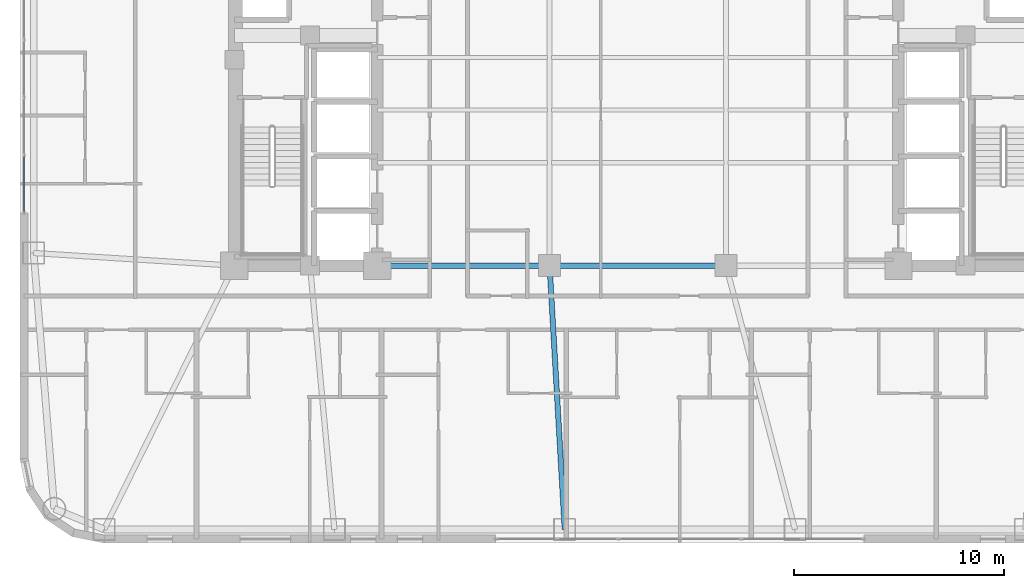
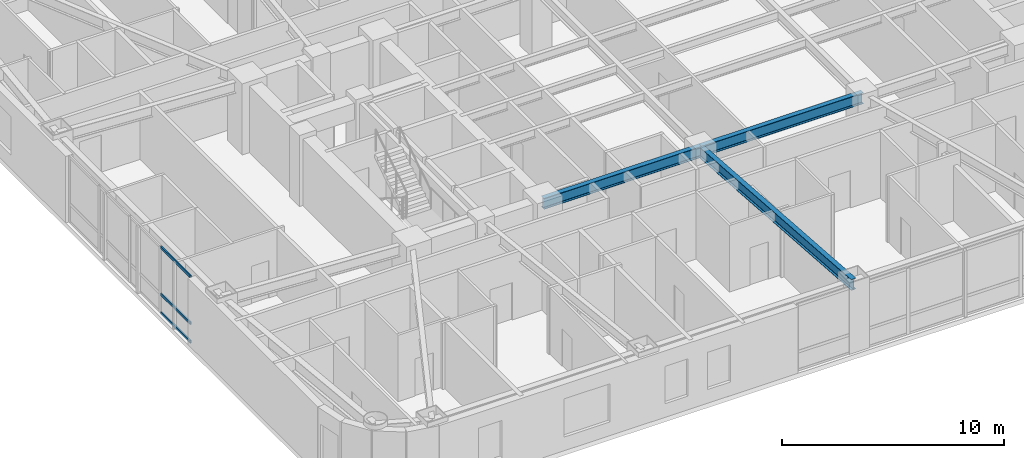
# One storey, part 5 of 28: 3 beams, 3 members, 1 element without a shape of its own.
"""IFC4 building model written with IfcOpenShell, lengths in metres."""

from ifc_helpers import new_model, si_unit, direction, frame, origin, origin_2d, place, context, subcontext, project, spatial, hollow_rectangle, i_section, extrude, material, layer, layer_set, material_profile, profile_set, type_object, element, aggregate, save


model = new_model("IFC4")

# Units and contexts
model_context = context("Model", 3, precision=1e-05, world=origin(), true_north=direction((0.0, 1.0)))
body_context = subcontext(model_context, "Body", "Model", "MODEL_VIEW")
ifc_project = project(units=[si_unit("LENGTHUNIT", "METRE"), si_unit("AREAUNIT", "SQUARE_METRE"), si_unit("VOLUMEUNIT", "CUBIC_METRE"), si_unit("PLANEANGLEUNIT", "RADIAN"), si_unit("MASSUNIT", "GRAM", prefix="KILO")], contexts=[model_context])

# Site, building, storey
site_placement = place(None, origin())
site = spatial("IfcSite", under=ifc_project, at=site_placement, CompositionType="ELEMENT")
building_placement = place(site_placement, origin())
building = spatial("IfcBuilding", under=site, at=building_placement, Name="Voryun Gate Residences", CompositionType="ELEMENT")
storey_placement = place(building_placement, frame((0.0, 0.0, 117.0)))
storey = spatial("IfcBuildingStorey", under=building, at=storey_placement, Name="L28", CompositionType="ELEMENT", Elevation=117.0)

# Beams
ifc_material_1 = material(Name="Steel SM355", Category="steel")
ifc_material_profile_1 = material_profile(ifc_material_1, i_section(OverallWidth=0.25, OverallDepth=0.60009765625, WebThickness=0.011962890625, FlangeThickness=0.02197265625, FilletRadius=0.01806640625, at=origin_2d()), Name="H-600x250x12x22")
ifc_profile_set_1 = profile_set([ifc_material_profile_1], Name="Steel SM355")
beam_type = type_object("IfcBeamType", Name="BM_GIRD_600", PredefinedType="USERDEFINED", material=ifc_profile_set_1)
beam_1_placement = place(storey_placement, frame((-12.39990234375, -7.39990234375, 3.35009765625), z_axis=(1.0, 0.0, 0.0), x_axis=(0.0, 1.0, 0.0)))
element("IfcBeam", 1, at=beam_1_placement, inside=storey, type_object=beam_type, Name="BM-L28-SPG1-S", ObjectType="GIRDER", PredefinedType="USERDEFINED", context=body_context, shape_type="SweptSolid", body=[
    extrude(i_section(OverallWidth=0.25, OverallDepth=0.60009765625, WebThickness=0.011962890625, FlangeThickness=0.02197265625, FilletRadius=0.01806640625, at=origin_2d()), origin(), (0.0, 0.0, 1.0), 8.199951171875),
])
beam_2_placement = place(storey_placement, frame((-4.199951171875, -7.39990234375, 3.35009765625), z_axis=(1.0, 0.0, 0.0), x_axis=(0.0, 1.0, 0.0)))
element("IfcBeam", 2, at=beam_2_placement, inside=storey, type_object=beam_type, Name="BM-L28-SPG2-S", ObjectType="GIRDER", PredefinedType="USERDEFINED", context=body_context, shape_type="SweptSolid", body=[
    extrude(i_section(OverallWidth=0.25, OverallDepth=0.60009765625, WebThickness=0.011962890625, FlangeThickness=0.02197265625, FilletRadius=0.01806640625, at=origin_2d()), origin(), (0.0, 0.0, 1.0), 8.39990234375),
])
beam_3_placement = place(storey_placement, frame((-4.199951171875, -7.39990234375, 3.35009765625), z_axis=(0.057273791334, -0.998358509167, 0.0), x_axis=(0.998358509167, 0.057273791334, 0.0)))
element("IfcBeam", 3, at=beam_3_placement, inside=storey, type_object=beam_type, Name="BM-L28-RAD-S3", ObjectType="GIRDER", PredefinedType="USERDEFINED", context=body_context, shape_type="SweptSolid", body=[
    extrude(i_section(OverallWidth=0.25, OverallDepth=0.60009765625, WebThickness=0.011962890625, FlangeThickness=0.02197265625, FilletRadius=0.01806640625, at=origin_2d()), origin(), (0.0, 0.0, 1.0), 12.57080078125),
])

# Curtain wall, members
ifc_material_2 = material(Name="Anodised aluminium", Category="aluminium")
ifc_layer = layer(ifc_material_2, 0.179931640625, Name="CW_SYS_RES_A_DARK_GLASS")
ifc_layer_set = layer_set([ifc_layer], Name="Anodised aluminium")
curtain_wall_type = type_object("IfcCurtainWallType", Name="CW_SYS_RES_A_DARK_GLASS", PredefinedType="NOTDEFINED", material=ifc_layer_set)
curtain_wall_placement = place(storey_placement, origin())
curtain_wall = element("IfcCurtainWall", 4, at=curtain_wall_placement, inside=storey, type_object=curtain_wall_type, Name="Curtain wall CWT-L28-06", PredefinedType="NOTDEFINED")
ifc_material_3 = material(Name="Anodised aluminium", Category="aluminium")
ifc_material_profile_2 = material_profile(ifc_material_3, hollow_rectangle(XDim=0.070068359375, YDim=0.14990234375, WallThickness=0.00390625, at=origin_2d()), Name="ALU-TRAN-150x70x4")
ifc_profile_set_2 = profile_set([ifc_material_profile_2], Name="Anodised aluminium")
member_type = type_object("IfcMemberType", Name="CW_TRAN_RES", PredefinedType="USERDEFINED", material=ifc_profile_set_2)
member_1_placement = place(storey_placement, frame((-29.2099609375, -4.837890625, 0.030029296875), z_axis=(0.0, 1.0, 0.0), x_axis=(-1.0, 0.0, 0.0)))
member_1 = element("IfcMember", 5, at=member_1_placement, type_object=member_type, Name="CW3 transom 1.1", ObjectType="TRANSOM", PredefinedType="USERDEFINED", context=body_context, shape_type="SweptSolid", body=[
    extrude(hollow_rectangle(XDim=0.070068359375, YDim=0.14990234375, WallThickness=0.00390625, at=origin_2d()), origin(), (0.0, 0.0, 1.0), 2.658935546875),
])
member_2_placement = place(storey_placement, frame((-29.2099609375, -4.837890625, 1.050048828125), z_axis=(0.0, 1.0, 0.0), x_axis=(-1.0, 0.0, 0.0)))
member_2 = element("IfcMember", 6, at=member_2_placement, type_object=member_type, Name="CW3 transom 1.2", ObjectType="TRANSOM", PredefinedType="USERDEFINED", context=body_context, shape_type="SweptSolid", body=[
    extrude(hollow_rectangle(XDim=0.070068359375, YDim=0.14990234375, WallThickness=0.00390625, at=origin_2d()), origin(), (0.0, 0.0, 1.0), 2.658935546875),
])
member_3_placement = place(storey_placement, frame((-29.2099609375, -4.837890625, 3.6201171875), z_axis=(0.0, 1.0, 0.0), x_axis=(-1.0, 0.0, 0.0)))
member_3 = element("IfcMember", 7, at=member_3_placement, type_object=member_type, Name="CW3 transom 1.3", ObjectType="TRANSOM", PredefinedType="USERDEFINED", context=body_context, shape_type="SweptSolid", body=[
    extrude(hollow_rectangle(XDim=0.070068359375, YDim=0.14990234375, WallThickness=0.00390625, at=origin_2d()), origin(), (0.0, 0.0, 1.0), 2.658935546875),
])
aggregate(curtain_wall, [member_1, member_2, member_3])

save(model, "model.ifc")
